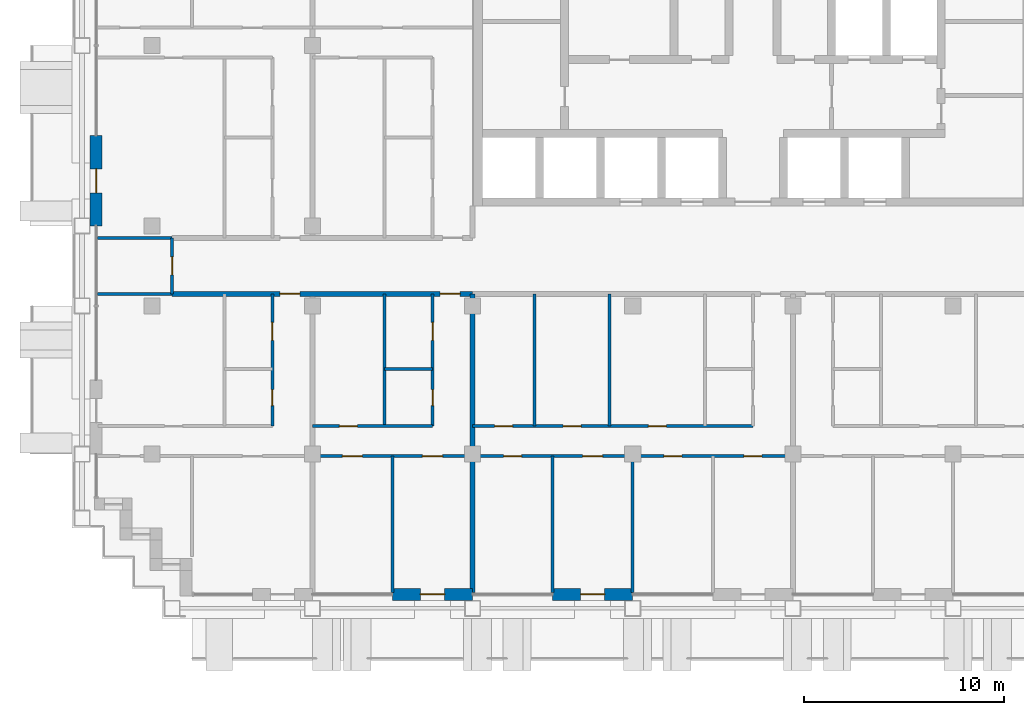
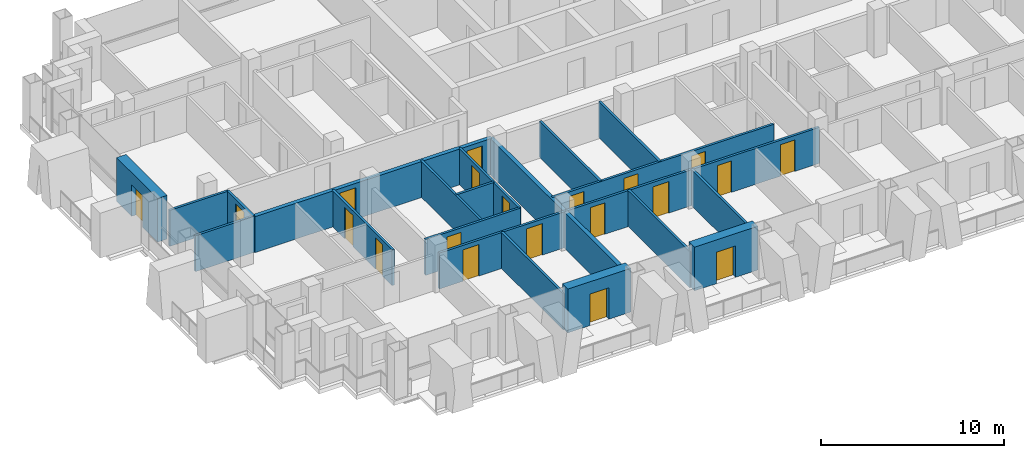
# One storey, part 8 of 18: 21 walls, 20 doors, 20 openings.
"""IFC4 building model written with IfcOpenShell, lengths in metres."""

from ifc_helpers import new_model, si_unit, direction, frame, frame_2d, origin, place, context, subcontext, project, spatial, rectangle, extrude, material, layer, layer_set, type_object, element, fill, save


model = new_model("IFC4")

# Units and contexts
model_context = context("Model", 3, precision=1e-05, world=origin(), true_north=direction((0.0, 1.0)))
body_context = subcontext(model_context, "Body", "Model", "MODEL_VIEW")
ifc_project = project(units=[si_unit("LENGTHUNIT", "METRE"), si_unit("AREAUNIT", "SQUARE_METRE"), si_unit("VOLUMEUNIT", "CUBIC_METRE"), si_unit("PLANEANGLEUNIT", "RADIAN"), si_unit("MASSUNIT", "GRAM", prefix="KILO")], contexts=[model_context])

# Site, building, storey
site_placement = place(None, origin())
site = spatial("IfcSite", under=ifc_project, at=site_placement, CompositionType="ELEMENT")
building_placement = place(site_placement, origin())
building = spatial("IfcBuilding", under=site, at=building_placement, Name="Vidyagriha Tower", CompositionType="ELEMENT")
storey_placement = place(building_placement, frame((0.0, 0.0, 126.199951171875)))
storey = spatial("IfcBuildingStorey", under=building, at=storey_placement, Name="L32", CompositionType="ELEMENT", Elevation=126.199951171875)

# Wall, opening, door
ifc_material_1 = material(Name="Precast concrete C40/50 with brick facing", Category="concrete")
ifc_layer_1 = layer(ifc_material_1, 0.60009765625)
ifc_layer_set_1 = layer_set([ifc_layer_1], Name="Precast concrete C40/50 with brick facing")
wall_type_1 = type_object("IfcWallType", Name="Brick-faced precast wall 600", PredefinedType="STANDARD", material=ifc_layer_set_1)
wall_1_placement = place(storey_placement, frame((-32.800048828125, 6.5, 0.0), z_axis=(0.0, 0.0, 1.0), x_axis=(0.0, -1.0, 0.0)))
wall_1 = element("IfcWall", 1, at=wall_1_placement, inside=storey, type_object=wall_type_1, Name="Brick door bay wall L32 R16.3", PredefinedType="STANDARD", context=body_context, shape_type="SweptSolid", body=[
    extrude(rectangle(XDim=4.5, YDim=0.60009765625, at=frame_2d((2.25, 0.0))), origin(), (0.0, 0.0, 1.0), 2.920166015625),
])
opening_1_placement = place(wall_1_placement, frame((1.64990234375, 0.0, 0.0)))
opening_1 = element("IfcOpeningElement", 2, at=opening_1_placement, cuts=wall_1, Name="Opening D32-75", PredefinedType="OPENING", context=body_context, shape_type="SweptSolid", body=[
    extrude(rectangle(XDim=1.199951171875, YDim=2.10009765625, at=frame_2d((0.60009765625, 1.050048828125))), frame((0.0, 0.31005859375, 0.0), z_axis=(0.0, -1.0, 0.0), x_axis=(1.0, 0.0, 0.0)), (0.0, 0.0, 1.0), 0.6201171875),
])
ifc_material_2 = material(Name="Aluminium framed glazed sliding door", Category="aluminium")
door_type_1 = type_object("IfcDoorType", Name="Balcony sliding door 1200x2100", OperationType="NOTDEFINED", PredefinedType="DOOR", material=ifc_material_2)
door_1_placement = place(opening_1_placement, origin())
door_1 = element("IfcDoor", 3, at=door_1_placement, inside=storey, type_object=door_type_1, Name="Door D32-75", OperationType="SLIDING_TO_LEFT", OverallHeight=2.10009765625, OverallWidth=1.199951171875, PredefinedType="DOOR", context=body_context, shape_type="SweptSolid", body=[
    extrude(rectangle(XDim=1.199951171875, YDim=2.10009765625, at=frame_2d((0.60009765625, 1.050048828125))), frame((0.0, 0.02490234375, 0.0), z_axis=(0.0, -1.0, 0.0), x_axis=(1.0, 0.0, 0.0)), (0.0, 0.0, 1.0), 0.050048828125),
])
fill(opening_1, door_1)

wall_2_placement = place(storey_placement, frame((-18.0, -16.39990234375, 0.0)))
wall_2 = element("IfcWall", 4, at=wall_2_placement, inside=storey, type_object=wall_type_1, Name="Brick door bay wall L32 R23.4", PredefinedType="STANDARD", context=body_context, shape_type="SweptSolid", body=[
    extrude(rectangle(XDim=4.0, YDim=0.60009765625, at=frame_2d((2.0, 0.0))), origin(), (0.0, 0.0, 1.0), 2.920166015625),
])
opening_2_placement = place(wall_2_placement, frame((1.39990234375, 0.0, 0.0)))
opening_2 = element("IfcOpeningElement", 5, at=opening_2_placement, cuts=wall_2, Name="Opening D32-78", PredefinedType="OPENING", context=body_context, shape_type="SweptSolid", body=[
    extrude(rectangle(XDim=1.199951171875, YDim=2.10009765625, at=frame_2d((0.60009765625, 1.050048828125))), frame((0.0, 0.31005859375, 0.0), z_axis=(0.0, -1.0, 0.0), x_axis=(1.0, 0.0, 0.0)), (0.0, 0.0, 1.0), 0.6201171875),
])
door_2_placement = place(opening_2_placement, origin())
door_2 = element("IfcDoor", 6, at=door_2_placement, inside=storey, type_object=door_type_1, Name="Door D32-78", OperationType="SLIDING_TO_LEFT", OverallHeight=2.10009765625, OverallWidth=1.199951171875, PredefinedType="DOOR", context=body_context, shape_type="SweptSolid", body=[
    extrude(rectangle(XDim=1.199951171875, YDim=2.10009765625, at=frame_2d((0.60009765625, 1.050048828125))), frame((0.0, 0.02490234375, 0.0), z_axis=(0.0, -1.0, 0.0), x_axis=(1.0, 0.0, 0.0)), (0.0, 0.0, 1.0), 0.050048828125),
])
fill(opening_2, door_2)

wall_3_placement = place(storey_placement, frame((-10.0, -16.39990234375, 0.0)))
wall_3 = element("IfcWall", 7, at=wall_3_placement, inside=storey, type_object=wall_type_1, Name="Brick door bay wall L32 R23.6", PredefinedType="STANDARD", context=body_context, shape_type="SweptSolid", body=[
    extrude(rectangle(XDim=4.0, YDim=0.60009765625, at=frame_2d((2.0, 0.0))), origin(), (0.0, 0.0, 1.0), 2.920166015625),
])
opening_3_placement = place(wall_3_placement, frame((1.39990234375, 0.0, 0.0)))
opening_3 = element("IfcOpeningElement", 8, at=opening_3_placement, cuts=wall_3, Name="Opening D32-79", PredefinedType="OPENING", context=body_context, shape_type="SweptSolid", body=[
    extrude(rectangle(XDim=1.199951171875, YDim=2.10009765625, at=frame_2d((0.60009765625, 1.050048828125))), frame((0.0, 0.31005859375, 0.0), z_axis=(0.0, -1.0, 0.0), x_axis=(1.0, 0.0, 0.0)), (0.0, 0.0, 1.0), 0.6201171875),
])
door_3_placement = place(opening_3_placement, origin())
door_3 = element("IfcDoor", 9, at=door_3_placement, inside=storey, type_object=door_type_1, Name="Door D32-79", OperationType="SLIDING_TO_LEFT", OverallHeight=2.10009765625, OverallWidth=1.199951171875, PredefinedType="DOOR", context=body_context, shape_type="SweptSolid", body=[
    extrude(rectangle(XDim=1.199951171875, YDim=2.10009765625, at=frame_2d((0.60009765625, 1.050048828125))), frame((0.0, 0.02490234375, 0.0), z_axis=(0.0, -1.0, 0.0), x_axis=(1.0, 0.0, 0.0)), (0.0, 0.0, 1.0), 0.050048828125),
])
fill(opening_3, door_3)

# Wall, openings, doors
ifc_material_3 = material(Name="Fired clay brick masonry", Category="masonry")
ifc_layer_2 = layer(ifc_material_3, 0.25)
ifc_layer_set_2 = layer_set([ifc_layer_2], Name="Fired clay brick masonry")
wall_type_2 = type_object("IfcWallType", Name="Fired clay brick corridor wall 250", PredefinedType="PARTITIONING", material=ifc_layer_set_2)
wall_4_placement = place(storey_placement, frame((-14.0, -1.39990234375, 0.0), z_axis=(0.0, 0.0, 1.0), x_axis=(-1.0, 0.0, 0.0)))
wall_4 = element("IfcWall", 10, at=wall_4_placement, inside=storey, type_object=wall_type_2, Name="Wall all-L32-w083", PredefinedType="PARTITIONING", context=body_context, shape_type="SweptSolid", body=[
    extrude(rectangle(XDim=15.0, YDim=0.25, at=frame_2d((7.5, 0.0))), origin(), (0.0, 0.0, 1.0), 2.400146484375),
])
opening_4_placement = place(wall_4_placement, frame((8.617919921875, 0.0, 0.0)))
opening_4 = element("IfcOpeningElement", 11, at=opening_4_placement, cuts=wall_4, Name="Opening D32-19", PredefinedType="OPENING", context=body_context, shape_type="SweptSolid", body=[
    extrude(rectangle(XDim=1.0, YDim=2.10009765625, at=frame_2d((0.5, 1.050048828125))), frame((0.0, 0.135009765625, 0.0), z_axis=(0.0, -1.0, 0.0), x_axis=(1.0, 0.0, 0.0)), (0.0, 0.0, 1.0), 0.27001953125),
])
opening_5_placement = place(wall_4_placement, frame((0.617919921875, 0.0, 0.0)))
opening_5 = element("IfcOpeningElement", 12, at=opening_5_placement, cuts=wall_4, Name="Opening D32-25", PredefinedType="OPENING", context=body_context, shape_type="SweptSolid", body=[
    extrude(rectangle(XDim=1.0, YDim=2.10009765625, at=frame_2d((0.5, 1.050048828125))), frame((0.0, 0.135009765625, 0.0), z_axis=(0.0, -1.0, 0.0), x_axis=(1.0, 0.0, 0.0)), (0.0, 0.0, 1.0), 0.27001953125),
])
ifc_material_4 = material(Name="Fire-rated timber door leaf EI 60", Category="wood")
door_type_2 = type_object("IfcDoorType", Name="Flat entrance fire door 1000x2100", OperationType="NOTDEFINED", PredefinedType="DOOR", material=ifc_material_4)
door_4_placement = place(opening_4_placement, origin())
door_4 = element("IfcDoor", 13, at=door_4_placement, inside=storey, type_object=door_type_2, Name="Door D32-19", OperationType="SINGLE_SWING_LEFT", OverallHeight=2.10009765625, OverallWidth=1.0, PredefinedType="DOOR", context=body_context, shape_type="SweptSolid", body=[
    extrude(rectangle(XDim=1.0, YDim=2.10009765625, at=frame_2d((0.5, 1.050048828125))), frame((0.0, 0.02490234375, 0.0), z_axis=(0.0, -1.0, 0.0), x_axis=(1.0, 0.0, 0.0)), (0.0, 0.0, 1.0), 0.050048828125),
])
fill(opening_4, door_4)
door_5_placement = place(opening_5_placement, origin())
door_5 = element("IfcDoor", 14, at=door_5_placement, inside=storey, type_object=door_type_2, Name="Door D32-25", OperationType="SINGLE_SWING_LEFT", OverallHeight=2.10009765625, OverallWidth=1.0, PredefinedType="DOOR", context=body_context, shape_type="SweptSolid", body=[
    extrude(rectangle(XDim=1.0, YDim=2.10009765625, at=frame_2d((0.5, 1.050048828125))), frame((0.0, 0.02490234375, 0.0), z_axis=(0.0, -1.0, 0.0), x_axis=(1.0, 0.0, 0.0)), (0.0, 0.0, 1.0), 0.050048828125),
])
fill(opening_5, door_5)

# Walls
ifc_material_5 = material(Name="Fired clay brick masonry", Category="masonry")
ifc_layer_3 = layer(ifc_material_5, 0.25)
ifc_layer_set_3 = layer_set([ifc_layer_3], Name="Fired clay brick masonry")
wall_type_3 = type_object("IfcWallType", Name="Fired clay brick demising wall 250", PredefinedType="PARTITIONING", material=ifc_layer_set_3)
wall_5_placement = place(storey_placement, frame((-14.0, -1.39990234375, 0.0), z_axis=(0.0, 0.0, 1.0), x_axis=(0.0, -1.0, 0.0)))
element("IfcWall", 15, at=wall_5_placement, inside=storey, type_object=wall_type_3, Name="Wall all-L32-w046", PredefinedType="PARTITIONING", context=body_context, shape_type="SweptSolid", body=[
    extrude(rectangle(XDim=14.91015625, YDim=0.25, at=frame_2d((7.455078125, 0.0))), origin(), (0.0, 0.0, 1.0), 2.400146484375),
])
ifc_material_6 = material(Name="Gypsum board partition")
ifc_layer_4 = layer(ifc_material_6, 0.14990234375)
ifc_layer_set_4 = layer_set([ifc_layer_4], Name="Gypsum board partition")
wall_type_4 = type_object("IfcWallType", Name="Gypsum board partition 150", PredefinedType="PARTITIONING", material=ifc_layer_set_4)
wall_6_placement = place(storey_placement, frame((-16.0, -5.14990234375, 0.0), z_axis=(0.0, 0.0, 1.0), x_axis=(-1.0, 0.0, 0.0)))
element("IfcWall", 16, at=wall_6_placement, inside=storey, type_object=wall_type_4, Name="Wall all-L32-w016", PredefinedType="PARTITIONING", context=body_context, shape_type="SweptSolid", body=[
    extrude(rectangle(XDim=2.39990234375, YDim=0.14990234375, at=frame_2d((1.199951171875, 0.0))), origin(), (0.0, 0.0, 1.0), 2.400146484375),
])
wall_7_placement = place(storey_placement, frame((-18.39990234375, -8.0, 0.0), z_axis=(0.0, 0.0, 1.0), x_axis=(0.0, 1.0, 0.0)))
element("IfcWall", 17, at=wall_7_placement, inside=storey, type_object=wall_type_4, Name="Wall all-L32-w017", PredefinedType="PARTITIONING", context=body_context, shape_type="SweptSolid", body=[
    extrude(rectangle(XDim=6.60009765625, YDim=0.14990234375, at=frame_2d((3.300048828125, 0.0))), origin(), (0.0, 0.0, 1.0), 2.400146484375),
])

# Wall, opening, door
wall_8_placement = place(storey_placement, frame((-22.0, -8.0, 0.0)))
wall_8 = element("IfcWall", 18, at=wall_8_placement, inside=storey, type_object=wall_type_4, Name="Wall all-L32-w018", PredefinedType="PARTITIONING", context=body_context, shape_type="SweptSolid", body=[
    extrude(rectangle(XDim=6.0, YDim=0.14990234375, at=frame_2d((3.0, 0.0))), origin(), (0.0, 0.0, 1.0), 2.400146484375),
])
opening_6_placement = place(wall_8_placement, frame((1.35009765625, 0.0, 0.0)))
opening_6 = element("IfcOpeningElement", 19, at=opening_6_placement, cuts=wall_8, Name="Opening D32-22", PredefinedType="OPENING", context=body_context, shape_type="SweptSolid", body=[
    extrude(rectangle(XDim=0.89990234375, YDim=2.10009765625, at=frame_2d((0.449951171875, 1.050048828125))), frame((0.0, 0.0849609375, 0.0), z_axis=(0.0, -1.0, 0.0), x_axis=(1.0, 0.0, 0.0)), (0.0, 0.0, 1.0), 0.169921875),
])
ifc_material_7 = material(Name="Timber door leaf", Category="wood")
door_type_3 = type_object("IfcDoorType", Name="Room door 900x2100", OperationType="NOTDEFINED", PredefinedType="DOOR", material=ifc_material_7)
door_6_placement = place(opening_6_placement, origin())
door_6 = element("IfcDoor", 20, at=door_6_placement, inside=storey, type_object=door_type_3, Name="Door D32-22", OperationType="SINGLE_SWING_RIGHT", OverallHeight=2.10009765625, OverallWidth=0.89990234375, PredefinedType="DOOR", context=body_context, shape_type="SweptSolid", body=[
    extrude(rectangle(XDim=0.89990234375, YDim=2.10009765625, at=frame_2d((0.449951171875, 1.050048828125))), frame((0.0, 0.02490234375, 0.0), z_axis=(0.0, -1.0, 0.0), x_axis=(1.0, 0.0, 0.0)), (0.0, 0.0, 1.0), 0.050048828125),
])
fill(opening_6, door_6)

# Wall, openings, doors
wall_9_placement = place(storey_placement, frame((-14.0, -9.5, 0.0), z_axis=(0.0, 0.0, 1.0), x_axis=(-1.0, 0.0, 0.0)))
wall_9 = element("IfcWall", 21, at=wall_9_placement, inside=storey, type_object=wall_type_4, Name="Wall all-L32-w020", PredefinedType="PARTITIONING", context=body_context, shape_type="SweptSolid", body=[
    extrude(rectangle(XDim=8.0, YDim=0.14990234375, at=frame_2d((4.0, 0.0))), origin(), (0.0, 0.0, 1.0), 2.400146484375),
])
opening_7_placement = place(wall_9_placement, frame((5.5, 0.0, 0.0)))
opening_7 = element("IfcOpeningElement", 22, at=opening_7_placement, cuts=wall_9, Name="Opening D32-23", PredefinedType="OPENING", context=body_context, shape_type="SweptSolid", body=[
    extrude(rectangle(XDim=1.0, YDim=2.10009765625, at=frame_2d((0.5, 1.050048828125))), frame((0.0, 0.0849609375, 0.0), z_axis=(0.0, -1.0, 0.0), x_axis=(1.0, 0.0, 0.0)), (0.0, 0.0, 1.0), 0.169921875),
])
opening_8_placement = place(wall_9_placement, frame((1.5, 0.0, 0.0)))
opening_8 = element("IfcOpeningElement", 23, at=opening_8_placement, cuts=wall_9, Name="Opening D32-24", PredefinedType="OPENING", context=body_context, shape_type="SweptSolid", body=[
    extrude(rectangle(XDim=1.0, YDim=2.10009765625, at=frame_2d((0.5, 1.050048828125))), frame((0.0, 0.0849609375, 0.0), z_axis=(0.0, -1.0, 0.0), x_axis=(1.0, 0.0, 0.0)), (0.0, 0.0, 1.0), 0.169921875),
])
ifc_material_8 = material(Name="Timber door leaf", Category="wood")
door_type_4 = type_object("IfcDoorType", Name="Room door 1000x2100", OperationType="NOTDEFINED", PredefinedType="DOOR", material=ifc_material_8)
door_7_placement = place(opening_7_placement, origin())
door_7 = element("IfcDoor", 24, at=door_7_placement, inside=storey, type_object=door_type_4, Name="Door D32-23", OperationType="SINGLE_SWING_RIGHT", OverallHeight=2.10009765625, OverallWidth=1.0, PredefinedType="DOOR", context=body_context, shape_type="SweptSolid", body=[
    extrude(rectangle(XDim=1.0, YDim=2.10009765625, at=frame_2d((0.5, 1.050048828125))), frame((0.0, 0.02490234375, 0.0), z_axis=(0.0, -1.0, 0.0), x_axis=(1.0, 0.0, 0.0)), (0.0, 0.0, 1.0), 0.050048828125),
])
fill(opening_7, door_7)
door_8_placement = place(opening_8_placement, origin())
door_8 = element("IfcDoor", 25, at=door_8_placement, inside=storey, type_object=door_type_4, Name="Door D32-24", OperationType="SINGLE_SWING_RIGHT", OverallHeight=2.10009765625, OverallWidth=1.0, PredefinedType="DOOR", context=body_context, shape_type="SweptSolid", body=[
    extrude(rectangle(XDim=1.0, YDim=2.10009765625, at=frame_2d((0.5, 1.050048828125))), frame((0.0, 0.02490234375, 0.0), z_axis=(0.0, -1.0, 0.0), x_axis=(1.0, 0.0, 0.0)), (0.0, 0.0, 1.0), 0.050048828125),
])
fill(opening_8, door_8)

# Walls
wall_10_placement = place(storey_placement, frame((-18.0, -9.5, 0.0), z_axis=(0.0, 0.0, 1.0), x_axis=(0.0, -1.0, 0.0)))
element("IfcWall", 26, at=wall_10_placement, inside=storey, type_object=wall_type_4, Name="Wall all-L32-w023", PredefinedType="PARTITIONING", context=body_context, shape_type="SweptSolid", body=[
    extrude(rectangle(XDim=6.821044921875, YDim=0.14990234375, at=frame_2d((3.41064453125, 0.0))), origin(), (0.0, 0.0, 1.0), 2.400146484375),
])
for number, where, z_axis, x_axis, name in (
    (27, (-7.14990234375, -8.0, 0.0), (0.0, 0.0, 1.0), (0.0, 1.0, 0.0), "Wall all-L32-w031"),
    (28, (-10.89990234375, -8.0, 0.0), (0.0, 0.0, 1.0), (0.0, 1.0, 0.0), "Wall all-L32-w032"),
):
    element("IfcWall", number, at=place(storey_placement, frame(where, z_axis=z_axis, x_axis=x_axis)), inside=storey, type_object=wall_type_4, Name=name, PredefinedType="PARTITIONING", context=body_context, shape_type="SweptSolid", body=[
        extrude(rectangle(XDim=6.60009765625, YDim=0.14990234375, at=frame_2d((3.300048828125, 0.0))), origin(), (0.0, 0.0, 1.0), 2.400146484375),
    ])

# Wall, openings, doors
wall_11_placement = place(storey_placement, frame((-14.0, -8.0, 0.0)))
wall_11 = element("IfcWall", 29, at=wall_11_placement, inside=storey, type_object=wall_type_4, Name="Wall all-L32-w033", PredefinedType="PARTITIONING", context=body_context, shape_type="SweptSolid", body=[
    extrude(rectangle(XDim=14.0, YDim=0.14990234375, at=frame_2d((7.0, 0.0))), origin(), (0.0, 0.0, 1.0), 2.400146484375),
])
opening_9_placement = place(wall_11_placement, frame((8.77490234375, 0.0, 0.0)))
opening_9 = element("IfcOpeningElement", 30, at=opening_9_placement, cuts=wall_11, Name="Opening D32-28", PredefinedType="OPENING", context=body_context, shape_type="SweptSolid", body=[
    extrude(rectangle(XDim=0.89990234375, YDim=2.10009765625, at=frame_2d((0.449951171875, 1.050048828125))), frame((0.0, 0.0849609375, 0.0), z_axis=(0.0, -1.0, 0.0), x_axis=(1.0, 0.0, 0.0)), (0.0, 0.0, 1.0), 0.169921875),
])
opening_10_placement = place(wall_11_placement, frame((4.52490234375, 0.0, 0.0)))
opening_10 = element("IfcOpeningElement", 31, at=opening_10_placement, cuts=wall_11, Name="Opening D32-29", PredefinedType="OPENING", context=body_context, shape_type="SweptSolid", body=[
    extrude(rectangle(XDim=0.89990234375, YDim=2.10009765625, at=frame_2d((0.449951171875, 1.050048828125))), frame((0.0, 0.0849609375, 0.0), z_axis=(0.0, -1.0, 0.0), x_axis=(1.0, 0.0, 0.0)), (0.0, 0.0, 1.0), 0.169921875),
])
opening_11_placement = place(wall_11_placement, frame((1.10009765625, 0.0, 0.0)))
opening_11 = element("IfcOpeningElement", 32, at=opening_11_placement, cuts=wall_11, Name="Opening D32-30", PredefinedType="OPENING", context=body_context, shape_type="SweptSolid", body=[
    extrude(rectangle(XDim=0.89990234375, YDim=2.10009765625, at=frame_2d((0.449951171875, 1.050048828125))), frame((0.0, 0.0849609375, 0.0), z_axis=(0.0, -1.0, 0.0), x_axis=(1.0, 0.0, 0.0)), (0.0, 0.0, 1.0), 0.169921875),
])
door_9_placement = place(opening_9_placement, origin())
door_9 = element("IfcDoor", 33, at=door_9_placement, inside=storey, type_object=door_type_3, Name="Door D32-28", OperationType="SINGLE_SWING_LEFT", OverallHeight=2.10009765625, OverallWidth=0.89990234375, PredefinedType="DOOR", context=body_context, shape_type="SweptSolid", body=[
    extrude(rectangle(XDim=0.89990234375, YDim=2.10009765625, at=frame_2d((0.449951171875, 1.050048828125))), frame((0.0, 0.02490234375, 0.0), z_axis=(0.0, -1.0, 0.0), x_axis=(1.0, 0.0, 0.0)), (0.0, 0.0, 1.0), 0.050048828125),
])
fill(opening_9, door_9)
door_10_placement = place(opening_10_placement, origin())
door_10 = element("IfcDoor", 34, at=door_10_placement, inside=storey, type_object=door_type_3, Name="Door D32-29", OperationType="SINGLE_SWING_RIGHT", OverallHeight=2.10009765625, OverallWidth=0.89990234375, PredefinedType="DOOR", context=body_context, shape_type="SweptSolid", body=[
    extrude(rectangle(XDim=0.89990234375, YDim=2.10009765625, at=frame_2d((0.449951171875, 1.050048828125))), frame((0.0, 0.02490234375, 0.0), z_axis=(0.0, -1.0, 0.0), x_axis=(1.0, 0.0, 0.0)), (0.0, 0.0, 1.0), 0.050048828125),
])
fill(opening_10, door_10)
door_11_placement = place(opening_11_placement, origin())
door_11 = element("IfcDoor", 35, at=door_11_placement, inside=storey, type_object=door_type_3, Name="Door D32-30", OperationType="SINGLE_SWING_RIGHT", OverallHeight=2.10009765625, OverallWidth=0.89990234375, PredefinedType="DOOR", context=body_context, shape_type="SweptSolid", body=[
    extrude(rectangle(XDim=0.89990234375, YDim=2.10009765625, at=frame_2d((0.449951171875, 1.050048828125))), frame((0.0, 0.02490234375, 0.0), z_axis=(0.0, -1.0, 0.0), x_axis=(1.0, 0.0, 0.0)), (0.0, 0.0, 1.0), 0.050048828125),
])
fill(opening_11, door_11)

wall_12_placement = place(storey_placement, frame((2.0, -9.5, 0.0), z_axis=(0.0, 0.0, 1.0), x_axis=(-1.0, 0.0, 0.0)))
wall_12 = element("IfcWall", 36, at=wall_12_placement, inside=storey, type_object=wall_type_4, Name="Wall all-L32-w037", PredefinedType="PARTITIONING", context=body_context, shape_type="SweptSolid", body=[
    extrude(rectangle(XDim=16.0, YDim=0.14990234375, at=frame_2d((8.0, 0.0))), origin(), (0.0, 0.0, 1.0), 2.400146484375),
])
opening_12_placement = place(wall_12_placement, frame((13.550048828125, 0.0, 0.0)))
opening_12 = element("IfcOpeningElement", 37, at=opening_12_placement, cuts=wall_12, Name="Opening D32-31", PredefinedType="OPENING", context=body_context, shape_type="SweptSolid", body=[
    extrude(rectangle(XDim=0.89990234375, YDim=2.10009765625, at=frame_2d((0.449951171875, 1.050048828125))), frame((0.0, 0.0849609375, 0.0), z_axis=(0.0, -1.0, 0.0), x_axis=(1.0, 0.0, 0.0)), (0.0, 0.0, 1.0), 0.169921875),
])
opening_13_placement = place(wall_12_placement, frame((9.5, 0.0, 0.0)))
opening_13 = element("IfcOpeningElement", 38, at=opening_13_placement, cuts=wall_12, Name="Opening D32-32", PredefinedType="OPENING", context=body_context, shape_type="SweptSolid", body=[
    extrude(rectangle(XDim=1.0, YDim=2.10009765625, at=frame_2d((0.5, 1.050048828125))), frame((0.0, 0.0849609375, 0.0), z_axis=(0.0, -1.0, 0.0), x_axis=(1.0, 0.0, 0.0)), (0.0, 0.0, 1.0), 0.169921875),
])
opening_14_placement = place(wall_12_placement, frame((5.550048828125, 0.0, 0.0)))
opening_14 = element("IfcOpeningElement", 39, at=opening_14_placement, cuts=wall_12, Name="Opening D32-33", PredefinedType="OPENING", context=body_context, shape_type="SweptSolid", body=[
    extrude(rectangle(XDim=0.89990234375, YDim=2.10009765625, at=frame_2d((0.449951171875, 1.050048828125))), frame((0.0, 0.0849609375, 0.0), z_axis=(0.0, -1.0, 0.0), x_axis=(1.0, 0.0, 0.0)), (0.0, 0.0, 1.0), 0.169921875),
])
opening_15_placement = place(wall_12_placement, frame((1.550048828125, 0.0, 0.0)))
opening_15 = element("IfcOpeningElement", 40, at=opening_15_placement, cuts=wall_12, Name="Opening D32-34", PredefinedType="OPENING", context=body_context, shape_type="SweptSolid", body=[
    extrude(rectangle(XDim=0.89990234375, YDim=2.10009765625, at=frame_2d((0.449951171875, 1.050048828125))), frame((0.0, 0.0849609375, 0.0), z_axis=(0.0, -1.0, 0.0), x_axis=(1.0, 0.0, 0.0)), (0.0, 0.0, 1.0), 0.169921875),
])
door_12_placement = place(opening_13_placement, origin())
door_12 = element("IfcDoor", 41, at=door_12_placement, inside=storey, type_object=door_type_4, Name="Door D32-32", OperationType="SINGLE_SWING_RIGHT", OverallHeight=2.10009765625, OverallWidth=1.0, PredefinedType="DOOR", context=body_context, shape_type="SweptSolid", body=[
    extrude(rectangle(XDim=1.0, YDim=2.10009765625, at=frame_2d((0.5, 1.050048828125))), frame((0.0, 0.02490234375, 0.0), z_axis=(0.0, -1.0, 0.0), x_axis=(1.0, 0.0, 0.0)), (0.0, 0.0, 1.0), 0.050048828125),
])
fill(opening_13, door_12)
door_13_placement = place(opening_12_placement, origin())
door_13 = element("IfcDoor", 42, at=door_13_placement, inside=storey, type_object=door_type_3, Name="Door D32-31", OperationType="SINGLE_SWING_RIGHT", OverallHeight=2.10009765625, OverallWidth=0.89990234375, PredefinedType="DOOR", context=body_context, shape_type="SweptSolid", body=[
    extrude(rectangle(XDim=0.89990234375, YDim=2.10009765625, at=frame_2d((0.449951171875, 1.050048828125))), frame((0.0, 0.02490234375, 0.0), z_axis=(0.0, -1.0, 0.0), x_axis=(1.0, 0.0, 0.0)), (0.0, 0.0, 1.0), 0.050048828125),
])
fill(opening_12, door_13)
door_14_placement = place(opening_14_placement, origin())
door_14 = element("IfcDoor", 43, at=door_14_placement, inside=storey, type_object=door_type_3, Name="Door D32-33", OperationType="SINGLE_SWING_RIGHT", OverallHeight=2.10009765625, OverallWidth=0.89990234375, PredefinedType="DOOR", context=body_context, shape_type="SweptSolid", body=[
    extrude(rectangle(XDim=0.89990234375, YDim=2.10009765625, at=frame_2d((0.449951171875, 1.050048828125))), frame((0.0, 0.02490234375, 0.0), z_axis=(0.0, -1.0, 0.0), x_axis=(1.0, 0.0, 0.0)), (0.0, 0.0, 1.0), 0.050048828125),
])
fill(opening_14, door_14)
door_15_placement = place(opening_15_placement, origin())
door_15 = element("IfcDoor", 44, at=door_15_placement, inside=storey, type_object=door_type_3, Name="Door D32-34", OperationType="SINGLE_SWING_RIGHT", OverallHeight=2.10009765625, OverallWidth=0.89990234375, PredefinedType="DOOR", context=body_context, shape_type="SweptSolid", body=[
    extrude(rectangle(XDim=0.89990234375, YDim=2.10009765625, at=frame_2d((0.449951171875, 1.050048828125))), frame((0.0, 0.02490234375, 0.0), z_axis=(0.0, -1.0, 0.0), x_axis=(1.0, 0.0, 0.0)), (0.0, 0.0, 1.0), 0.050048828125),
])
fill(opening_15, door_15)

# Walls
wall_13_placement = place(storey_placement, frame((-10.0, -9.5, 0.0), z_axis=(0.0, 0.0, 1.0), x_axis=(0.0, -1.0, 0.0)))
element("IfcWall", 45, at=wall_13_placement, inside=storey, type_object=wall_type_4, Name="Wall all-L32-w042", PredefinedType="PARTITIONING", context=body_context, shape_type="SweptSolid", body=[
    extrude(rectangle(XDim=6.821044921875, YDim=0.14990234375, at=frame_2d((3.41064453125, 0.0))), origin(), (0.0, 0.0, 1.0), 2.400146484375),
])
wall_14_placement = place(storey_placement, frame((-6.0, -9.5, 0.0), z_axis=(0.0, 0.0, 1.0), x_axis=(0.0, -1.0, 0.0)))
element("IfcWall", 46, at=wall_14_placement, inside=storey, type_object=wall_type_4, Name="Wall all-L32-w043", PredefinedType="PARTITIONING", context=body_context, shape_type="SweptSolid", body=[
    extrude(rectangle(XDim=6.81005859375, YDim=0.14990234375, at=frame_2d((3.405029296875, 0.0))), origin(), (0.0, 0.0, 1.0), 2.400146484375),
])
wall_15_placement = place(storey_placement, frame((-29.0, -1.39990234375, 0.0), z_axis=(0.0, 0.0, 1.0), x_axis=(-1.0, 0.0, 0.0)))
element("IfcWall", 47, at=wall_15_placement, inside=storey, type_object=wall_type_4, Name="Wall all-L32-w084", PredefinedType="PARTITIONING", context=body_context, shape_type="SweptSolid", body=[
    extrude(rectangle(XDim=3.719970703125, YDim=0.14990234375, at=frame_2d((1.85986328125, 0.0))), origin(), (0.0, 0.0, 1.0), 2.400146484375),
])
wall_16_placement = place(storey_placement, frame((-32.719970703125, 1.39990234375, 0.0)))
element("IfcWall", 48, at=wall_16_placement, inside=storey, type_object=wall_type_4, Name="Wall all-L32-w111", PredefinedType="PARTITIONING", context=body_context, shape_type="SweptSolid", body=[
    extrude(rectangle(XDim=3.719970703125, YDim=0.14990234375, at=frame_2d((1.85986328125, 0.0))), origin(), (0.0, 0.0, 1.0), 2.400146484375),
])

# Wall, opening, door
wall_17_placement = place(storey_placement, frame((-29.0, 1.39990234375, 0.0), z_axis=(0.0, 0.0, 1.0), x_axis=(0.0, -1.0, 0.0)))
wall_17 = element("IfcWall", 49, at=wall_17_placement, inside=storey, type_object=wall_type_4, Name="Wall all-L32-w132", PredefinedType="PARTITIONING", context=body_context, shape_type="SweptSolid", body=[
    extrude(rectangle(XDim=2.7998046875, YDim=0.14990234375, at=frame_2d((1.39990234375, 0.0))), origin(), (0.0, 0.0, 1.0), 2.400146484375),
])
opening_16_placement = place(wall_17_placement, frame((0.949951171875, 0.0, 0.0)))
opening_16 = element("IfcOpeningElement", 50, at=opening_16_placement, cuts=wall_17, Name="Opening D32-73", PredefinedType="OPENING", context=body_context, shape_type="SweptSolid", body=[
    extrude(rectangle(XDim=0.89990234375, YDim=2.10009765625, at=frame_2d((0.449951171875, 1.050048828125))), frame((0.0, 0.0849609375, 0.0), z_axis=(0.0, -1.0, 0.0), x_axis=(1.0, 0.0, 0.0)), (0.0, 0.0, 1.0), 0.169921875),
])
door_16_placement = place(opening_16_placement, origin())
door_16 = element("IfcDoor", 51, at=door_16_placement, inside=storey, type_object=door_type_3, Name="Door D32-73", OperationType="SINGLE_SWING_RIGHT", OverallHeight=2.10009765625, OverallWidth=0.89990234375, PredefinedType="DOOR", context=body_context, shape_type="SweptSolid", body=[
    extrude(rectangle(XDim=0.89990234375, YDim=2.10009765625, at=frame_2d((0.449951171875, 1.050048828125))), frame((0.0, 0.02490234375, 0.0), z_axis=(0.0, -1.0, 0.0), x_axis=(1.0, 0.0, 0.0)), (0.0, 0.0, 1.0), 0.050048828125),
])
fill(opening_16, door_16)

# Wall, openings, doors
ifc_material_9 = material(Name="Moisture resistant gypsum board partition")
ifc_layer_5 = layer(ifc_material_9, 0.14990234375)
ifc_layer_set_5 = layer_set([ifc_layer_5], Name="Moisture resistant gypsum board partition")
wall_type_5 = type_object("IfcWallType", Name="Gypsum board wet-area partition 150", PredefinedType="PARTITIONING", material=ifc_layer_set_5)
wall_18_placement = place(storey_placement, frame((-24.0, -8.0, 0.0), z_axis=(0.0, 0.0, 1.0), x_axis=(0.0, 1.0, 0.0)))
wall_18 = element("IfcWall", 52, at=wall_18_placement, inside=storey, type_object=wall_type_5, Name="Wall all-L32-w001", PredefinedType="PARTITIONING", context=body_context, shape_type="SweptSolid", body=[
    extrude(rectangle(XDim=6.60009765625, YDim=0.14990234375, at=frame_2d((3.300048828125, 0.0))), origin(), (0.0, 0.0, 1.0), 2.400146484375),
])
opening_17_placement = place(wall_18_placement, frame((4.27490234375, 0.0, 0.0)))
opening_17 = element("IfcOpeningElement", 53, at=opening_17_placement, cuts=wall_18, Name="Opening D32-14", PredefinedType="OPENING", context=body_context, shape_type="SweptSolid", body=[
    extrude(rectangle(XDim=0.89990234375, YDim=2.10009765625, at=frame_2d((0.449951171875, 1.050048828125))), frame((0.0, 0.0849609375, 0.0), z_axis=(0.0, -1.0, 0.0), x_axis=(1.0, 0.0, 0.0)), (0.0, 0.0, 1.0), 0.169921875),
])
opening_18_placement = place(wall_18_placement, frame((1.02490234375, 0.0, 0.0)))
opening_18 = element("IfcOpeningElement", 54, at=opening_18_placement, cuts=wall_18, Name="Opening D32-15", PredefinedType="OPENING", context=body_context, shape_type="SweptSolid", body=[
    extrude(rectangle(XDim=0.800048828125, YDim=2.10009765625, at=frame_2d((0.39990234375, 1.050048828125))), frame((0.0, 0.0849609375, 0.0), z_axis=(0.0, -1.0, 0.0), x_axis=(1.0, 0.0, 0.0)), (0.0, 0.0, 1.0), 0.169921875),
])
ifc_material_10 = material(Name="Timber door leaf", Category="wood")
door_type_5 = type_object("IfcDoorType", Name="Bathroom door 800x2100", OperationType="NOTDEFINED", PredefinedType="DOOR", material=ifc_material_10)
door_17_placement = place(opening_18_placement, origin())
door_17 = element("IfcDoor", 55, at=door_17_placement, inside=storey, type_object=door_type_5, Name="Door D32-15", OperationType="SINGLE_SWING_RIGHT", OverallHeight=2.10009765625, OverallWidth=0.800048828125, PredefinedType="DOOR", context=body_context, shape_type="SweptSolid", body=[
    extrude(rectangle(XDim=0.800048828125, YDim=2.10009765625, at=frame_2d((0.39990234375, 1.050048828125))), frame((0.0, 0.02490234375, 0.0), z_axis=(0.0, -1.0, 0.0), x_axis=(1.0, 0.0, 0.0)), (0.0, 0.0, 1.0), 0.050048828125),
])
fill(opening_18, door_17)
ifc_material_11 = material(Name="Timber door leaf", Category="wood")
door_type_6 = type_object("IfcDoorType", Name="Kitchen door 900x2100", OperationType="NOTDEFINED", PredefinedType="DOOR", material=ifc_material_11)
door_18_placement = place(opening_17_placement, origin())
door_18 = element("IfcDoor", 56, at=door_18_placement, inside=storey, type_object=door_type_6, Name="Door D32-14", OperationType="SINGLE_SWING_LEFT", OverallHeight=2.10009765625, OverallWidth=0.89990234375, PredefinedType="DOOR", context=body_context, shape_type="SweptSolid", body=[
    extrude(rectangle(XDim=0.89990234375, YDim=2.10009765625, at=frame_2d((0.449951171875, 1.050048828125))), frame((0.0, 0.02490234375, 0.0), z_axis=(0.0, -1.0, 0.0), x_axis=(1.0, 0.0, 0.0)), (0.0, 0.0, 1.0), 0.050048828125),
])
fill(opening_17, door_18)

wall_19_placement = place(storey_placement, frame((-16.0, -8.0, 0.0), z_axis=(0.0, 0.0, 1.0), x_axis=(0.0, 1.0, 0.0)))
wall_19 = element("IfcWall", 57, at=wall_19_placement, inside=storey, type_object=wall_type_5, Name="Wall all-L32-w013", PredefinedType="PARTITIONING", context=body_context, shape_type="SweptSolid", body=[
    extrude(rectangle(XDim=6.60009765625, YDim=0.14990234375, at=frame_2d((3.300048828125, 0.0))), origin(), (0.0, 0.0, 1.0), 2.400146484375),
])
opening_19_placement = place(wall_19_placement, frame((4.27490234375, 0.0, 0.0)))
opening_19 = element("IfcOpeningElement", 58, at=opening_19_placement, cuts=wall_19, Name="Opening D32-20", PredefinedType="OPENING", context=body_context, shape_type="SweptSolid", body=[
    extrude(rectangle(XDim=0.89990234375, YDim=2.10009765625, at=frame_2d((0.449951171875, 1.050048828125))), frame((0.0, 0.0849609375, 0.0), z_axis=(0.0, -1.0, 0.0), x_axis=(1.0, 0.0, 0.0)), (0.0, 0.0, 1.0), 0.169921875),
])
opening_20_placement = place(wall_19_placement, frame((1.02490234375, 0.0, 0.0)))
opening_20 = element("IfcOpeningElement", 59, at=opening_20_placement, cuts=wall_19, Name="Opening D32-21", PredefinedType="OPENING", context=body_context, shape_type="SweptSolid", body=[
    extrude(rectangle(XDim=0.800048828125, YDim=2.10009765625, at=frame_2d((0.39990234375, 1.050048828125))), frame((0.0, 0.0849609375, 0.0), z_axis=(0.0, -1.0, 0.0), x_axis=(1.0, 0.0, 0.0)), (0.0, 0.0, 1.0), 0.169921875),
])
door_19_placement = place(opening_20_placement, origin())
door_19 = element("IfcDoor", 60, at=door_19_placement, inside=storey, type_object=door_type_5, Name="Door D32-21", OperationType="SINGLE_SWING_RIGHT", OverallHeight=2.10009765625, OverallWidth=0.800048828125, PredefinedType="DOOR", context=body_context, shape_type="SweptSolid", body=[
    extrude(rectangle(XDim=0.800048828125, YDim=2.10009765625, at=frame_2d((0.39990234375, 1.050048828125))), frame((0.0, 0.02490234375, 0.0), z_axis=(0.0, -1.0, 0.0), x_axis=(1.0, 0.0, 0.0)), (0.0, 0.0, 1.0), 0.050048828125),
])
fill(opening_20, door_19)
door_20_placement = place(opening_19_placement, origin())
door_20 = element("IfcDoor", 61, at=door_20_placement, inside=storey, type_object=door_type_6, Name="Door D32-20", OperationType="SINGLE_SWING_LEFT", OverallHeight=2.10009765625, OverallWidth=0.89990234375, PredefinedType="DOOR", context=body_context, shape_type="SweptSolid", body=[
    extrude(rectangle(XDim=0.89990234375, YDim=2.10009765625, at=frame_2d((0.449951171875, 1.050048828125))), frame((0.0, 0.02490234375, 0.0), z_axis=(0.0, -1.0, 0.0), x_axis=(1.0, 0.0, 0.0)), (0.0, 0.0, 1.0), 0.050048828125),
])
fill(opening_19, door_20)

save(model, "model.ifc")
